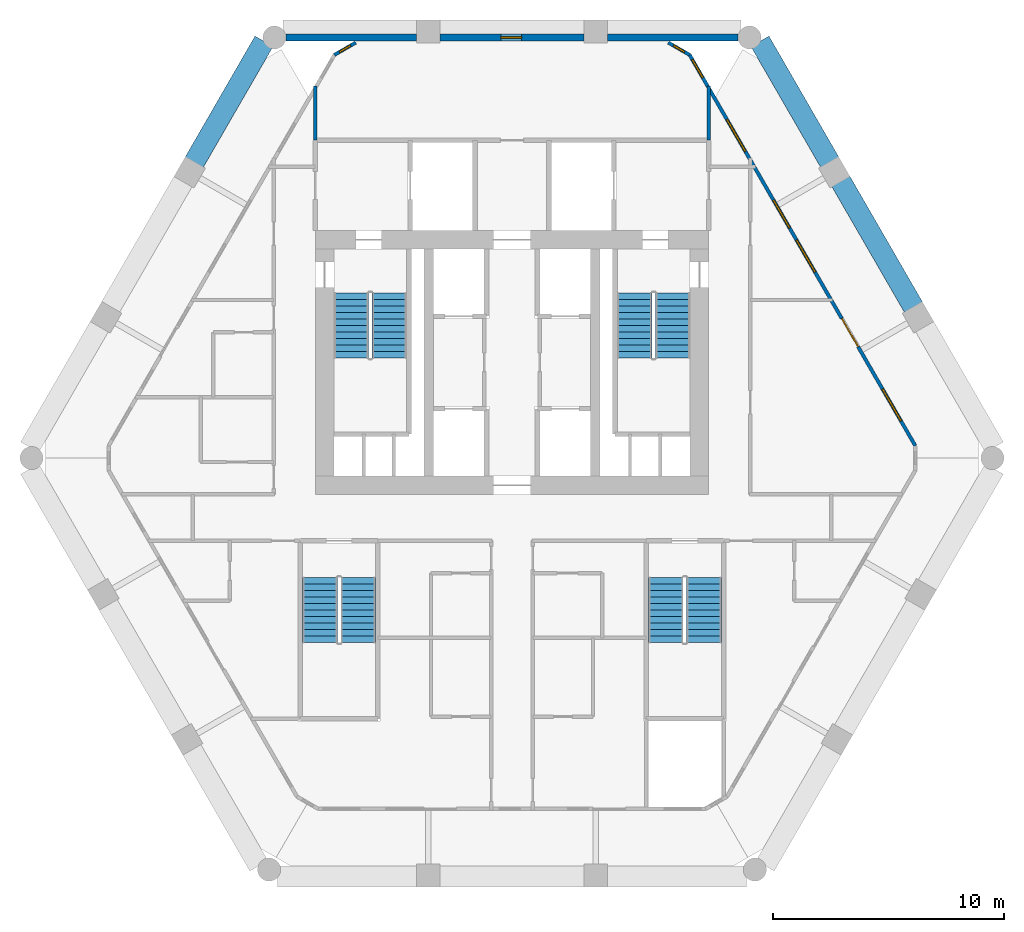
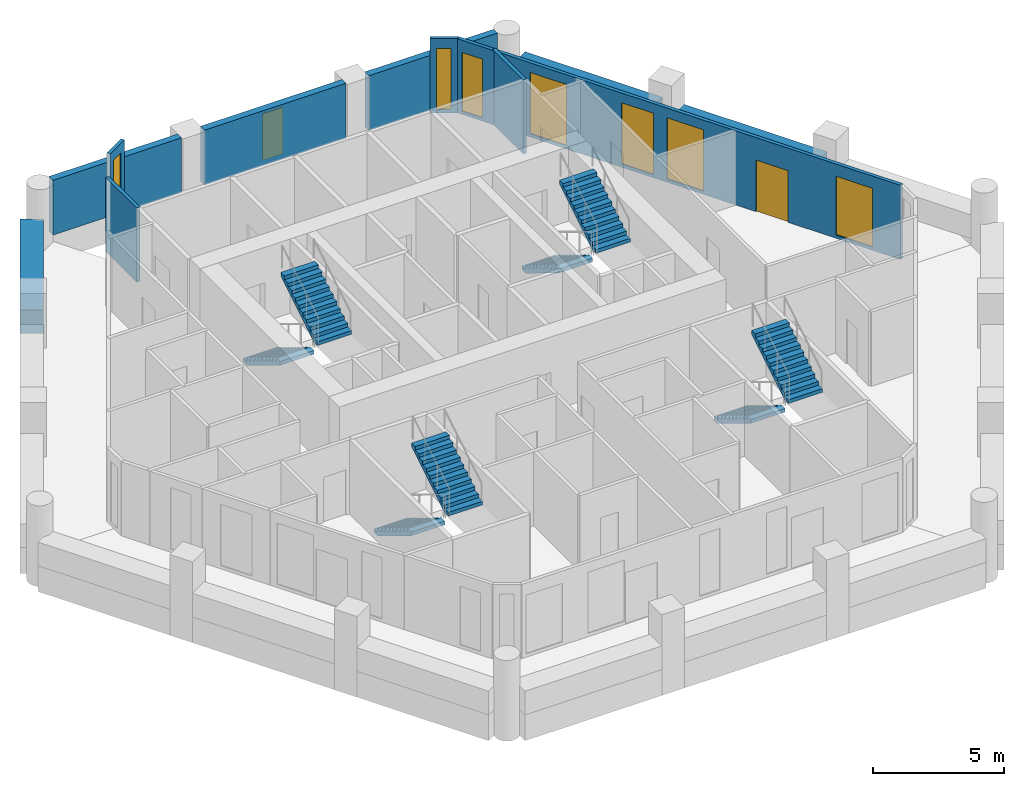
# One storey, part 6 of 7: 11 walls, 8 stair flights, 8 windows, 1 door, 9 openings, 4 elements without a shape of their own.
"""IFC4 building model written with IfcOpenShell, lengths in metres."""

from ifc_helpers import new_model, si_unit, direction, frame, frame_2d, origin, place, context, subcontext, project, spatial, polyline, rectangle, outline, extrude, material, layer, layer_set, type_object, element, fill, aggregate, save


model = new_model("IFC4")

# Units and contexts
model_context = context("Model", 3, precision=1e-05, world=origin(), true_north=direction((0.0, 1.0)))
body_context = subcontext(model_context, "Body", "Model", "MODEL_VIEW")
ifc_project = project(units=[si_unit("LENGTHUNIT", "METRE"), si_unit("AREAUNIT", "SQUARE_METRE"), si_unit("VOLUMEUNIT", "CUBIC_METRE"), si_unit("PLANEANGLEUNIT", "RADIAN"), si_unit("MASSUNIT", "GRAM", prefix="KILO")], contexts=[model_context])

# Site, building, storey
site_placement = place(None, origin())
site = spatial("IfcSite", under=ifc_project, at=site_placement, CompositionType="ELEMENT")
building_placement = place(site_placement, origin())
building = spatial("IfcBuilding", under=site, at=building_placement, Name="Ostrander Bayou Hotel Tower", CompositionType="ELEMENT")
storey_placement = place(building_placement, frame((0.0, 0.0, 157.0)))
storey = spatial("IfcBuildingStorey", under=building, at=storey_placement, Name="L38", CompositionType="ELEMENT", Elevation=157.0)

# Wall, openings, door, windows
ifc_material_1 = material(Name="Aluminium framed insulated wall", Category="aluminium")
ifc_layer_1 = layer(ifc_material_1, 0.14990234375)
ifc_layer_set_1 = layer_set([ifc_layer_1], Name="GW1 glass-line wall 150 mm")
wall_type_1 = type_object("IfcWallType", Name="GW1 glass-line wall 150 mm", PredefinedType="SOLIDWALL", material=ifc_layer_set_1)
wall_1_placement = place(storey_placement, frame((17.42822265625, 0.401611328125, 0.0), z_axis=(0.0, 0.0, 1.0), x_axis=(-0.500000203029, 0.866025286565, 0.0)))
wall_1 = element("IfcWall", 1, at=wall_1_placement, inside=storey, type_object=wall_type_1, Name="GW1 L38 NE 1", PredefinedType="SOLIDWALL", context=body_context, shape_type="SweptSolid", body=[
    extrude(rectangle(XDim=19.50390625, YDim=0.14990234375, at=frame_2d((9.751953125, 0.0))), origin(), (0.0, 0.0, 1.0), 3.449951171875),
])
opening_1_placement = place(wall_1_placement, frame((4.94677734375, 0.0, 0.0)))
opening_1 = element("IfcOpeningElement", 2, at=opening_1_placement, cuts=wall_1, Name="Opening T38-806", PredefinedType="OPENING", context=body_context, shape_type="SweptSolid", body=[
    extrude(rectangle(XDim=1.39990234375, YDim=2.39990234375, at=frame_2d((0.699951171875, 1.199951171875))), frame((0.0, 0.074951171875, 0.0), z_axis=(0.0, -1.0, 0.0), x_axis=(1.0, 0.0, 0.0)), (0.0, 0.0, 1.0), 0.14990234375),
])
opening_2_placement = place(wall_1_placement, frame((8.666259765625, 0.0, 0.14990234375)))
opening_2 = element("IfcOpeningElement", 3, at=opening_2_placement, cuts=wall_1, Name="Opening W3", PredefinedType="OPENING", context=body_context, shape_type="SweptSolid", body=[
    extrude(rectangle(XDim=1.60009765625, YDim=2.85009765625, at=frame_2d((0.800048828125, 1.425048828125))), frame((0.0, 0.074951171875, 0.0), z_axis=(0.0, -1.0, 0.0), x_axis=(1.0, 0.0, 0.0)), (0.0, 0.0, 1.0), 0.14990234375),
])
opening_3_placement = place(wall_1_placement, frame((10.8662109375, 0.0, 0.14990234375)))
opening_3 = element("IfcOpeningElement", 4, at=opening_3_placement, cuts=wall_1, Name="Opening W13", PredefinedType="OPENING", context=body_context, shape_type="SweptSolid", body=[
    extrude(rectangle(XDim=1.39990234375, YDim=2.85009765625, at=frame_2d((0.699951171875, 1.425048828125))), frame((0.0, 0.074951171875, 0.0), z_axis=(0.0, -1.0, 0.0), x_axis=(1.0, 0.0, 0.0)), (0.0, 0.0, 1.0), 0.14990234375),
])
opening_4_placement = place(wall_1_placement, frame((14.684326171875, 0.0, 0.14990234375)))
opening_4 = element("IfcOpeningElement", 5, at=opening_4_placement, cuts=wall_1, Name="Opening W3", PredefinedType="OPENING", context=body_context, shape_type="SweptSolid", body=[
    extrude(rectangle(XDim=1.60009765625, YDim=2.85009765625, at=frame_2d((0.800048828125, 1.425048828125))), frame((0.0, 0.074951171875, 0.0), z_axis=(0.0, -1.0, 0.0), x_axis=(1.0, 0.0, 0.0)), (0.0, 0.0, 1.0), 0.14990234375),
])
opening_5_placement = place(wall_1_placement, frame((1.233154296875, 0.0, 0.14990234375)))
opening_5 = element("IfcOpeningElement", 6, at=opening_5_placement, cuts=wall_1, Name="Opening W3", PredefinedType="OPENING", context=body_context, shape_type="SweptSolid", body=[
    extrude(rectangle(XDim=1.60009765625, YDim=2.72998046875, at=frame_2d((0.800048828125, 1.364990234375))), frame((0.0, 0.074951171875, 0.0), z_axis=(0.0, -1.0, 0.0), x_axis=(1.0, 0.0, 0.0)), (0.0, 0.0, 1.0), 0.14990234375),
])
opening_6_placement = place(wall_1_placement, frame((18.369384765625, 0.0, 0.14990234375)))
opening_6 = element("IfcOpeningElement", 7, at=opening_6_placement, cuts=wall_1, Name="Opening W17", PredefinedType="OPENING", context=body_context, shape_type="SweptSolid", body=[
    extrude(rectangle(XDim=0.89990234375, YDim=2.72998046875, at=frame_2d((0.449951171875, 1.364990234375))), frame((0.0, 0.074951171875, 0.0), z_axis=(0.0, -1.0, 0.0), x_axis=(1.0, 0.0, 0.0)), (0.0, 0.0, 1.0), 0.14990234375),
])
ifc_material_2 = material(Name="Aluminium and clear glass", Category="aluminium")
door_type = type_object("IfcDoorType", Name="SD3 sliding glass door 1400 mm, zone 3", OperationType="SLIDING_TO_LEFT", PredefinedType="DOOR", material=ifc_material_2)
door_placement = place(opening_1_placement, origin())
door = element("IfcDoor", 8, at=door_placement, inside=storey, type_object=door_type, Name="SD3 L38 NE 2", OperationType="SLIDING_TO_RIGHT", OverallHeight=2.39990234375, OverallWidth=1.39990234375, PredefinedType="DOOR", context=body_context, shape_type="SweptSolid", body=[
    extrude(rectangle(XDim=1.39990234375, YDim=2.39990234375, at=frame_2d((0.699951171875, 1.199951171875))), frame((0.0, 0.02490234375, 0.0), z_axis=(0.0, -1.0, 0.0), x_axis=(1.0, 0.0, 0.0)), (0.0, 0.0, 1.0), 0.050048828125),
])
fill(opening_1, door)
ifc_material_3 = material(Name="Aluminium and clear glass", Category="aluminium")
window_type_1 = type_object("IfcWindowType", Name="W13 fixed window 1400 mm, bath bay, zone 3", PartitioningType="SINGLE_PANEL", PredefinedType="WINDOW", material=ifc_material_3)
window_1_placement = place(opening_3_placement, origin())
window_1 = element("IfcWindow", 9, at=window_1_placement, inside=storey, type_object=window_type_1, Name="W13 L38 NE 3", OverallHeight=2.85009765625, OverallWidth=1.39990234375, PartitioningType="SINGLE_PANEL", PredefinedType="WINDOW", context=body_context, shape_type="SweptSolid", body=[
    extrude(rectangle(XDim=1.39990234375, YDim=2.85009765625, at=frame_2d((0.699951171875, 1.425048828125))), frame((0.0, 0.030029296875, 0.0), z_axis=(0.0, -1.0, 0.0), x_axis=(1.0, 0.0, 0.0)), (0.0, 0.0, 1.0), 0.06005859375),
])
fill(opening_3, window_1)
ifc_material_4 = material(Name="Aluminium and clear glass", Category="aluminium")
window_type_2 = type_object("IfcWindowType", Name="W17 window 900 mm, zone 3", PartitioningType="SINGLE_PANEL", PredefinedType="WINDOW", material=ifc_material_4)
window_2_placement = place(opening_6_placement, origin())
window_2 = element("IfcWindow", 10, at=window_2_placement, inside=storey, type_object=window_type_2, Name="W17 L38 NE E22", OverallHeight=2.72998046875, OverallWidth=0.89990234375, PartitioningType="SINGLE_PANEL", PredefinedType="WINDOW", context=body_context, shape_type="SweptSolid", body=[
    extrude(rectangle(XDim=0.89990234375, YDim=2.72998046875, at=frame_2d((0.449951171875, 1.364990234375))), frame((0.0, 0.030029296875, 0.0), z_axis=(0.0, -1.0, 0.0), x_axis=(1.0, 0.0, 0.0)), (0.0, 0.0, 1.0), 0.06005859375),
])
fill(opening_6, window_2)
ifc_material_5 = material(Name="Aluminium and clear glass", Category="aluminium")
window_type_3 = type_object("IfcWindowType", Name="W3 fixed window 1600 mm, zone 3", PartitioningType="SINGLE_PANEL", PredefinedType="WINDOW", material=ifc_material_5)
window_3_placement = place(opening_2_placement, origin())
window_3 = element("IfcWindow", 11, at=window_3_placement, inside=storey, type_object=window_type_3, Name="W3 L38 NE 3", OverallHeight=2.85009765625, OverallWidth=1.60009765625, PartitioningType="SINGLE_PANEL", PredefinedType="WINDOW", context=body_context, shape_type="SweptSolid", body=[
    extrude(rectangle(XDim=1.60009765625, YDim=2.85009765625, at=frame_2d((0.800048828125, 1.425048828125))), frame((0.0, 0.030029296875, 0.0), z_axis=(0.0, -1.0, 0.0), x_axis=(1.0, 0.0, 0.0)), (0.0, 0.0, 1.0), 0.06005859375),
])
fill(opening_2, window_3)
window_4_placement = place(opening_4_placement, origin())
window_4 = element("IfcWindow", 12, at=window_4_placement, inside=storey, type_object=window_type_3, Name="W3 L38 NE 4", OverallHeight=2.85009765625, OverallWidth=1.60009765625, PartitioningType="SINGLE_PANEL", PredefinedType="WINDOW", context=body_context, shape_type="SweptSolid", body=[
    extrude(rectangle(XDim=1.60009765625, YDim=2.85009765625, at=frame_2d((0.800048828125, 1.425048828125))), frame((0.0, 0.030029296875, 0.0), z_axis=(0.0, -1.0, 0.0), x_axis=(1.0, 0.0, 0.0)), (0.0, 0.0, 1.0), 0.06005859375),
])
fill(opening_4, window_4)
window_5_placement = place(opening_5_placement, origin())
window_5 = element("IfcWindow", 13, at=window_5_placement, inside=storey, type_object=window_type_3, Name="W3 L38 NE E11", OverallHeight=2.72998046875, OverallWidth=1.60009765625, PartitioningType="SINGLE_PANEL", PredefinedType="WINDOW", context=body_context, shape_type="SweptSolid", body=[
    extrude(rectangle(XDim=1.60009765625, YDim=2.72998046875, at=frame_2d((0.800048828125, 1.364990234375))), frame((0.0, 0.030029296875, 0.0), z_axis=(0.0, -1.0, 0.0), x_axis=(1.0, 0.0, 0.0)), (0.0, 0.0, 1.0), 0.06005859375),
])
fill(opening_5, window_5)

# Wall, opening, window
wall_2_placement = place(storey_placement, frame((-6.75390625, 17.824951171875, 0.0), z_axis=(0.0, 0.0, 1.0), x_axis=(-0.866048165231, -0.499960573946, 0.0)))
wall_2 = element("IfcWall", 14, at=wall_2_placement, inside=storey, type_object=wall_type_1, Name="GW1 L38 corner 1", PredefinedType="SOLIDWALL", context=body_context, shape_type="SweptSolid", body=[
    extrude(rectangle(XDim=1.06494140625, YDim=0.14990234375, at=frame_2d((0.532470703125, 0.0))), origin(), (0.0, 0.0, 1.0), 3.449951171875),
])
opening_7_placement = place(wall_2_placement, frame((0.257568359375, 0.0, 0.14990234375)))
opening_7 = element("IfcOpeningElement", 15, at=opening_7_placement, cuts=wall_2, Name="Opening W19", PredefinedType="OPENING", context=body_context, shape_type="SweptSolid", body=[
    extrude(rectangle(XDim=0.550048828125, YDim=2.85009765625, at=frame_2d((0.27490234375, 1.425048828125))), frame((0.0, 0.074951171875, 0.0), z_axis=(0.0, -1.0, 0.0), x_axis=(1.0, 0.0, 0.0)), (0.0, 0.0, 1.0), 0.14990234375),
])
ifc_material_6 = material(Name="Aluminium and clear glass", Category="aluminium")
window_type_4 = type_object("IfcWindowType", Name="W19 corner window 550 mm", PartitioningType="SINGLE_PANEL", PredefinedType="WINDOW", material=ifc_material_6)
window_6_placement = place(opening_7_placement, origin())
window_6 = element("IfcWindow", 16, at=window_6_placement, inside=storey, type_object=window_type_4, Name="W19 L38 corner 1", OverallHeight=2.85009765625, OverallWidth=0.550048828125, PartitioningType="SINGLE_PANEL", PredefinedType="WINDOW", context=body_context, shape_type="SweptSolid", body=[
    extrude(rectangle(XDim=0.550048828125, YDim=2.85009765625, at=frame_2d((0.27490234375, 1.425048828125))), frame((0.0, 0.030029296875, 0.0), z_axis=(0.0, -1.0, 0.0), x_axis=(1.0, 0.0, 0.0)), (0.0, 0.0, 1.0), 0.06005859375),
])
fill(opening_7, window_6)

wall_3_placement = place(storey_placement, frame((7.67626953125, 17.29248046875, 0.0), z_axis=(0.0, 0.0, 1.0), x_axis=(-0.866048165231, 0.499960573946, 0.0)))
wall_3 = element("IfcWall", 17, at=wall_3_placement, inside=storey, type_object=wall_type_1, Name="GW1 L38 corner 6", PredefinedType="SOLIDWALL", context=body_context, shape_type="SweptSolid", body=[
    extrude(rectangle(XDim=1.06494140625, YDim=0.14990234375, at=frame_2d((0.532470703125, 0.0))), origin(), (0.0, 0.0, 1.0), 3.449951171875),
])
opening_8_placement = place(wall_3_placement, frame((0.257568359375, 0.0, 0.14990234375)))
opening_8 = element("IfcOpeningElement", 18, at=opening_8_placement, cuts=wall_3, Name="Opening W19", PredefinedType="OPENING", context=body_context, shape_type="SweptSolid", body=[
    extrude(rectangle(XDim=0.550048828125, YDim=2.85009765625, at=frame_2d((0.27490234375, 1.425048828125))), frame((0.0, 0.074951171875, 0.0), z_axis=(0.0, -1.0, 0.0), x_axis=(1.0, 0.0, 0.0)), (0.0, 0.0, 1.0), 0.14990234375),
])
window_7_placement = place(opening_8_placement, origin())
window_7 = element("IfcWindow", 19, at=window_7_placement, inside=storey, type_object=window_type_4, Name="W19 L38 corner 6", OverallHeight=2.85009765625, OverallWidth=0.550048828125, PartitioningType="SINGLE_PANEL", PredefinedType="WINDOW", context=body_context, shape_type="SweptSolid", body=[
    extrude(rectangle(XDim=0.550048828125, YDim=2.85009765625, at=frame_2d((0.27490234375, 1.425048828125))), frame((0.0, 0.030029296875, 0.0), z_axis=(0.0, -1.0, 0.0), x_axis=(1.0, 0.0, 0.0)), (0.0, 0.0, 1.0), 0.06005859375),
])
fill(opening_8, window_7)

# Wall
ifc_material_7 = material(Name="Reconstituted stone on masonry backing", Category="masonry")
ifc_layer_2 = layer(ifc_material_7, 0.300048828125)
ifc_layer_set_2 = layer_set([ifc_layer_2], Name="NW1 north stone wall 300 mm")
wall_type_2 = type_object("IfcWallType", Name="NW1 north stone wall 300 mm", PredefinedType="SOLIDWALL", material=ifc_layer_set_2)
wall_4_placement = place(storey_placement, frame((9.767822265625, 18.050048828125, 0.0), z_axis=(0.0, 0.0, 1.0), x_axis=(-1.0, 0.0, 0.0)))
element("IfcWall", 20, at=wall_4_placement, inside=storey, type_object=wall_type_2, Name="NW1 L38 N-1", PredefinedType="SOLIDWALL", context=body_context, shape_type="SweptSolid", body=[
    extrude(rectangle(XDim=5.649658203125, YDim=0.300048828125, at=frame_2d((2.82470703125, 0.0))), origin(), (0.0, 0.0, 1.0), 2.550048828125),
])

# Wall, opening, window
wall_5_placement = place(storey_placement, frame((3.1181640625, 18.050048828125, 0.0), z_axis=(0.0, 0.0, 1.0), x_axis=(-1.0, 0.0, 0.0)))
wall_5 = element("IfcWall", 21, at=wall_5_placement, inside=storey, type_object=wall_type_2, Name="NW1 L38 N-2", PredefinedType="SOLIDWALL", context=body_context, shape_type="SweptSolid", body=[
    extrude(rectangle(XDim=6.236328125, YDim=0.300048828125, at=frame_2d((3.1181640625, 0.0))), origin(), (0.0, 0.0, 1.0), 2.550048828125),
])
opening_9_placement = place(wall_5_placement, frame((2.699951171875, 0.0, 0.14990234375)))
opening_9 = element("IfcOpeningElement", 22, at=opening_9_placement, cuts=wall_5, Name="Opening W17", PredefinedType="OPENING", context=body_context, shape_type="SweptSolid", body=[
    extrude(rectangle(XDim=0.89990234375, YDim=2.14990234375, at=frame_2d((0.449951171875, 1.074951171875))), frame((0.0, 0.14990234375, 0.0), z_axis=(0.0, -1.0, 0.0), x_axis=(1.0, 0.0, 0.0)), (0.0, 0.0, 1.0), 0.300048828125),
])
window_8_placement = place(opening_9_placement, origin())
window_8 = element("IfcWindow", 23, at=window_8_placement, inside=storey, type_object=window_type_2, Name="W17 L38 north N-2", OverallHeight=2.14990234375, OverallWidth=0.89990234375, PartitioningType="SINGLE_PANEL", PredefinedType="WINDOW", context=body_context, shape_type="SweptSolid", body=[
    extrude(rectangle(XDim=0.89990234375, YDim=2.14990234375, at=frame_2d((0.449951171875, 1.074951171875))), frame((0.0, 0.030029296875, 0.0), z_axis=(0.0, -1.0, 0.0), x_axis=(1.0, 0.0, 0.0)), (0.0, 0.0, 1.0), 0.06005859375),
])
fill(opening_9, window_8)

# Walls
wall_6_placement = place(storey_placement, frame((-4.1181640625, 18.050048828125, 0.0), z_axis=(0.0, 0.0, 1.0), x_axis=(-1.0, 0.0, 0.0)))
element("IfcWall", 24, at=wall_6_placement, inside=storey, type_object=wall_type_2, Name="NW1 L38 N-3", PredefinedType="SOLIDWALL", context=body_context, shape_type="SweptSolid", body=[
    extrude(rectangle(XDim=5.649658203125, YDim=0.300048828125, at=frame_2d((2.82470703125, 0.0))), origin(), (0.0, 0.0, 1.0), 2.550048828125),
])
ifc_material_8 = material(Name="Concrete f'c 40 MPa", Category="concrete")
ifc_layer_3 = layer(ifc_material_8, 0.89990234375)
ifc_layer_set_3 = layer_set([ifc_layer_3], Name="PA1 stone-faced parapet 900 mm")
wall_type_3 = type_object("IfcWallType", Name="PA1 stone-faced parapet 900 mm", PredefinedType="PARAPET", material=ifc_layer_set_3)
wall_7_placement = place(storey_placement, frame((-10.71435546875, 17.88037109375, 0.0), z_axis=(0.0, 0.0, 1.0), x_axis=(-0.499995386674, -0.866028067273, 0.0)))
element("IfcWall", 25, at=wall_7_placement, inside=storey, type_object=wall_type_3, Name="PA1 L38 NW-1", PredefinedType="PARAPET", context=body_context, shape_type="SweptSolid", body=[
    extrude(rectangle(XDim=6.03955078125, YDim=0.89990234375, at=frame_2d((3.019775390625, 0.0))), origin(), (0.0, 0.0, 1.0), 1.10009765625),
])
wall_8_placement = place(storey_placement, frame((17.352294921875, 6.38330078125, 0.0), z_axis=(0.0, 0.0, 1.0), x_axis=(-0.500030142214, 0.86600800047, 0.0)))
element("IfcWall", 26, at=wall_8_placement, inside=storey, type_object=wall_type_3, Name="PA1 L38 NE-2", PredefinedType="PARAPET", context=body_context, shape_type="SweptSolid", body=[
    extrude(rectangle(XDim=6.2958984375, YDim=0.89990234375, at=frame_2d((3.14794921875, 0.0))), origin(), (0.0, 0.0, 1.0), 1.10009765625),
])
wall_9_placement = place(storey_placement, frame((13.734130859375, 12.64990234375, 0.0), z_axis=(0.0, 0.0, 1.0), x_axis=(-0.499995386674, 0.866028067273, 0.0)))
element("IfcWall", 27, at=wall_9_placement, inside=storey, type_object=wall_type_3, Name="PA1 L38 NE-3", PredefinedType="PARAPET", context=body_context, shape_type="SweptSolid", body=[
    extrude(rectangle(XDim=6.03955078125, YDim=0.89990234375, at=frame_2d((3.019775390625, 0.0))), origin(), (0.0, 0.0, 1.0), 1.10009765625),
])
ifc_material_9 = material(Name="Gypsum board partition", Category="finish")
ifc_layer_4 = layer(ifc_material_9, 0.14990234375)
ifc_layer_set_4 = layer_set([ifc_layer_4], Name="PT8 service band wall 150 mm, 1 hour")
wall_type_4 = type_object("IfcWallType", Name="PT8 service band wall 150 mm, 1 hour", PredefinedType="PARTITIONING", material=ifc_layer_set_4)
for number, where, z_axis, x_axis, name in (
    (28, (8.5, 13.610107421875, 0.0), (0.0, 0.0, 1.0), (0.0, 1.0, 0.0), "gw:L38:027"),
    (29, (-8.5, 13.610107421875, 0.0), (0.0, 0.0, 1.0), (0.0, 1.0, 0.0), "gw:L38:034"),
):
    element("IfcWall", number, at=place(storey_placement, frame(where, z_axis=z_axis, x_axis=x_axis)), inside=storey, type_object=wall_type_4, Name=name, PredefinedType="PARTITIONING", context=body_context, shape_type="SweptSolid", body=[
        extrude(rectangle(XDim=2.345947265625, YDim=0.14990234375, at=frame_2d((1.1728515625, 0.0))), origin(), (0.0, 0.0, 1.0), 3.449951171875),
    ])

# Stair, stair flights
ifc_material_10 = material(Name="Concrete f'c 45 MPa", Category="concrete")
stair_type = type_object("IfcStairType", Name="ST1 exit stair 1500 mm f'c 45 MPa", PredefinedType="HALF_TURN_STAIR", material=ifc_material_10)
stair_1_placement = place(storey_placement, origin())
stair_1 = element("IfcStair", 30, at=stair_1_placement, inside=storey, type_object=stair_type, Name="L38 exit stair A", PredefinedType="HALF_TURN_STAIR")
ifc_material_11 = material(Name="Concrete f'c 45 MPa", Category="concrete")
stair_flight_type = type_object("IfcStairFlightType", Name="SF1 stair flight 1500 mm f'c 45 MPa", PredefinedType="STRAIGHT", material=ifc_material_11)
stair_flight_1_placement = place(storey_placement, frame((-6.949951171875, 7.0, 0.0), z_axis=(0.0, 0.0, 1.0), x_axis=(0.0, -1.0, 0.0)))
stair_flight_1 = element("IfcStairFlight", 31, at=stair_flight_1_placement, type_object=stair_flight_type, Name="STA flight 1", NumberOfRisers=11, NumberOfTreads=10, PredefinedType="STRAIGHT", RiserHeight=0.170454545, TreadLength=0.28, context=body_context, shape_type="SweptSolid", body=[
    extrude(outline(polyline([(0.0, 0.0), (0.0, 0.17041015625), (0.280029296875, 0.17041015625), (0.280029296875, 0.3408203125), (0.56005859375, 0.3408203125), (0.56005859375, 0.511474609375), (0.840087890625, 0.511474609375), (0.840087890625, 0.681884765625), (1.1201171875, 0.681884765625), (1.1201171875, 0.852294921875), (1.39990234375, 0.852294921875), (1.39990234375, 1.022705078125), (1.679931640625, 1.022705078125), (1.679931640625, 1.193115234375), (1.9599609375, 1.193115234375), (1.9599609375, 1.363525390625), (2.239990234375, 1.363525390625), (2.239990234375, 1.5341796875), (2.52001953125, 1.5341796875), (2.52001953125, 1.70458984375), (2.800048828125, 1.70458984375), (2.800048828125, 1.875), (2.800048828125, 1.529052734375), (0.288330078125, 0.0), (0.0, 0.0)])), frame((0.0, 0.75, 0.0), z_axis=(0.0, -1.0, 0.0), x_axis=(1.0, 0.0, 0.0)), (0.0, 0.0, 1.0), 1.5),
])
stair_flight_2_placement = place(storey_placement, frame((-5.300048828125, 4.199951171875, 1.875), z_axis=(0.0, 0.0, 1.0), x_axis=(0.0, 1.0, 0.0)))
stair_flight_2 = element("IfcStairFlight", 32, at=stair_flight_2_placement, type_object=stair_flight_type, Name="STA flight 2", NumberOfRisers=11, NumberOfTreads=10, PredefinedType="STRAIGHT", RiserHeight=0.170454545, TreadLength=0.28, context=body_context, shape_type="SweptSolid", body=[
    extrude(outline(polyline([(0.0, 0.0), (0.0, 0.17041015625), (0.280029296875, 0.17041015625), (0.280029296875, 0.3408203125), (0.56005859375, 0.3408203125), (0.56005859375, 0.511474609375), (0.840087890625, 0.511474609375), (0.840087890625, 0.681884765625), (1.1201171875, 0.681884765625), (1.1201171875, 0.852294921875), (1.39990234375, 0.852294921875), (1.39990234375, 1.022705078125), (1.679931640625, 1.022705078125), (1.679931640625, 1.193115234375), (1.9599609375, 1.193115234375), (1.9599609375, 1.363525390625), (2.239990234375, 1.363525390625), (2.239990234375, 1.5341796875), (2.52001953125, 1.5341796875), (2.52001953125, 1.70458984375), (2.800048828125, 1.70458984375), (2.800048828125, 1.875), (2.800048828125, 1.529052734375), (0.288330078125, 0.0), (0.0, 0.0)])), frame((0.0, 0.75, 0.0), z_axis=(0.0, -1.0, 0.0), x_axis=(1.0, 0.0, 0.0)), (0.0, 0.0, 1.0), 1.5),
])
aggregate(stair_1, [stair_flight_1, stair_flight_2])

stair_2_placement = place(storey_placement, origin())
stair_2 = element("IfcStair", 33, at=stair_2_placement, inside=storey, type_object=stair_type, Name="L38 exit stair B", PredefinedType="HALF_TURN_STAIR")
stair_flight_3_placement = place(storey_placement, frame((5.300048828125, 7.0, 0.0), z_axis=(0.0, 0.0, 1.0), x_axis=(0.0, -1.0, 0.0)))
stair_flight_3 = element("IfcStairFlight", 34, at=stair_flight_3_placement, type_object=stair_flight_type, Name="STB flight 1", NumberOfRisers=11, NumberOfTreads=10, PredefinedType="STRAIGHT", RiserHeight=0.170454545, TreadLength=0.28, context=body_context, shape_type="SweptSolid", body=[
    extrude(outline(polyline([(0.0, 0.0), (0.0, 0.17041015625), (0.280029296875, 0.17041015625), (0.280029296875, 0.3408203125), (0.56005859375, 0.3408203125), (0.56005859375, 0.511474609375), (0.840087890625, 0.511474609375), (0.840087890625, 0.681884765625), (1.1201171875, 0.681884765625), (1.1201171875, 0.852294921875), (1.39990234375, 0.852294921875), (1.39990234375, 1.022705078125), (1.679931640625, 1.022705078125), (1.679931640625, 1.193115234375), (1.9599609375, 1.193115234375), (1.9599609375, 1.363525390625), (2.239990234375, 1.363525390625), (2.239990234375, 1.5341796875), (2.52001953125, 1.5341796875), (2.52001953125, 1.70458984375), (2.800048828125, 1.70458984375), (2.800048828125, 1.875), (2.800048828125, 1.529052734375), (0.288330078125, 0.0), (0.0, 0.0)])), frame((0.0, 0.75, 0.0), z_axis=(0.0, -1.0, 0.0), x_axis=(1.0, 0.0, 0.0)), (0.0, 0.0, 1.0), 1.5),
])
stair_flight_4_placement = place(storey_placement, frame((6.949951171875, 4.199951171875, 1.875), z_axis=(0.0, 0.0, 1.0), x_axis=(0.0, 1.0, 0.0)))
stair_flight_4 = element("IfcStairFlight", 35, at=stair_flight_4_placement, type_object=stair_flight_type, Name="STB flight 2", NumberOfRisers=11, NumberOfTreads=10, PredefinedType="STRAIGHT", RiserHeight=0.170454545, TreadLength=0.28, context=body_context, shape_type="SweptSolid", body=[
    extrude(outline(polyline([(0.0, 0.0), (0.0, 0.17041015625), (0.280029296875, 0.17041015625), (0.280029296875, 0.3408203125), (0.56005859375, 0.3408203125), (0.56005859375, 0.511474609375), (0.840087890625, 0.511474609375), (0.840087890625, 0.681884765625), (1.1201171875, 0.681884765625), (1.1201171875, 0.852294921875), (1.39990234375, 0.852294921875), (1.39990234375, 1.022705078125), (1.679931640625, 1.022705078125), (1.679931640625, 1.193115234375), (1.9599609375, 1.193115234375), (1.9599609375, 1.363525390625), (2.239990234375, 1.363525390625), (2.239990234375, 1.5341796875), (2.52001953125, 1.5341796875), (2.52001953125, 1.70458984375), (2.800048828125, 1.70458984375), (2.800048828125, 1.875), (2.800048828125, 1.529052734375), (0.288330078125, 0.0), (0.0, 0.0)])), frame((0.0, 0.75, 0.0), z_axis=(0.0, -1.0, 0.0), x_axis=(1.0, 0.0, 0.0)), (0.0, 0.0, 1.0), 1.5),
])
aggregate(stair_2, [stair_flight_3, stair_flight_4])

stair_3_placement = place(storey_placement, origin())
stair_3 = element("IfcStair", 36, at=stair_3_placement, inside=storey, type_object=stair_type, Name="L38 exit stair C", PredefinedType="HALF_TURN_STAIR")
stair_flight_5_placement = place(storey_placement, frame((6.64990234375, -5.300048828125, 0.0), z_axis=(0.0, 0.0, 1.0), x_axis=(0.0, -1.0, 0.0)))
stair_flight_5 = element("IfcStairFlight", 37, at=stair_flight_5_placement, type_object=stair_flight_type, Name="STC flight 1", NumberOfRisers=11, NumberOfTreads=10, PredefinedType="STRAIGHT", RiserHeight=0.170454545, TreadLength=0.28, context=body_context, shape_type="SweptSolid", body=[
    extrude(outline(polyline([(0.0, 0.0), (0.0, 0.17041015625), (0.280029296875, 0.17041015625), (0.280029296875, 0.3408203125), (0.56005859375, 0.3408203125), (0.56005859375, 0.511474609375), (0.840087890625, 0.511474609375), (0.840087890625, 0.681884765625), (1.1201171875, 0.681884765625), (1.1201171875, 0.852294921875), (1.39990234375, 0.852294921875), (1.39990234375, 1.022705078125), (1.679931640625, 1.022705078125), (1.679931640625, 1.193115234375), (1.9599609375, 1.193115234375), (1.9599609375, 1.363525390625), (2.239990234375, 1.363525390625), (2.239990234375, 1.5341796875), (2.52001953125, 1.5341796875), (2.52001953125, 1.70458984375), (2.800048828125, 1.70458984375), (2.800048828125, 1.875), (2.800048828125, 1.529052734375), (0.288330078125, 0.0), (0.0, 0.0)])), frame((0.0, 0.75, 0.0), z_axis=(0.0, -1.0, 0.0), x_axis=(1.0, 0.0, 0.0)), (0.0, 0.0, 1.0), 1.5),
])
stair_flight_6_placement = place(storey_placement, frame((8.300048828125, -8.10009765625, 1.875), z_axis=(0.0, 0.0, 1.0), x_axis=(0.0, 1.0, 0.0)))
stair_flight_6 = element("IfcStairFlight", 38, at=stair_flight_6_placement, type_object=stair_flight_type, Name="STC flight 2", NumberOfRisers=11, NumberOfTreads=10, PredefinedType="STRAIGHT", RiserHeight=0.170454545, TreadLength=0.28, context=body_context, shape_type="SweptSolid", body=[
    extrude(outline(polyline([(0.0, 0.0), (0.0, 0.17041015625), (0.280029296875, 0.17041015625), (0.280029296875, 0.3408203125), (0.56005859375, 0.3408203125), (0.56005859375, 0.511474609375), (0.840087890625, 0.511474609375), (0.840087890625, 0.681884765625), (1.1201171875, 0.681884765625), (1.1201171875, 0.852294921875), (1.39990234375, 0.852294921875), (1.39990234375, 1.022705078125), (1.679931640625, 1.022705078125), (1.679931640625, 1.193115234375), (1.9599609375, 1.193115234375), (1.9599609375, 1.363525390625), (2.239990234375, 1.363525390625), (2.239990234375, 1.5341796875), (2.52001953125, 1.5341796875), (2.52001953125, 1.70458984375), (2.800048828125, 1.70458984375), (2.800048828125, 1.875), (2.800048828125, 1.529052734375), (0.288330078125, 0.0), (0.0, 0.0)])), frame((0.0, 0.75, 0.0), z_axis=(0.0, -1.0, 0.0), x_axis=(1.0, 0.0, 0.0)), (0.0, 0.0, 1.0), 1.5),
])
aggregate(stair_3, [stair_flight_5, stair_flight_6])

stair_4_placement = place(storey_placement, origin())
stair_4 = element("IfcStair", 39, at=stair_4_placement, inside=storey, type_object=stair_type, Name="L38 exit stair D", PredefinedType="HALF_TURN_STAIR")
stair_flight_7_placement = place(storey_placement, frame((-8.300048828125, -5.300048828125, 0.0), z_axis=(0.0, 0.0, 1.0), x_axis=(0.0, -1.0, 0.0)))
stair_flight_7 = element("IfcStairFlight", 40, at=stair_flight_7_placement, type_object=stair_flight_type, Name="STD flight 1", NumberOfRisers=11, NumberOfTreads=10, PredefinedType="STRAIGHT", RiserHeight=0.170454545, TreadLength=0.28, context=body_context, shape_type="SweptSolid", body=[
    extrude(outline(polyline([(0.0, 0.0), (0.0, 0.17041015625), (0.280029296875, 0.17041015625), (0.280029296875, 0.3408203125), (0.56005859375, 0.3408203125), (0.56005859375, 0.511474609375), (0.840087890625, 0.511474609375), (0.840087890625, 0.681884765625), (1.1201171875, 0.681884765625), (1.1201171875, 0.852294921875), (1.39990234375, 0.852294921875), (1.39990234375, 1.022705078125), (1.679931640625, 1.022705078125), (1.679931640625, 1.193115234375), (1.9599609375, 1.193115234375), (1.9599609375, 1.363525390625), (2.239990234375, 1.363525390625), (2.239990234375, 1.5341796875), (2.52001953125, 1.5341796875), (2.52001953125, 1.70458984375), (2.800048828125, 1.70458984375), (2.800048828125, 1.875), (2.800048828125, 1.529052734375), (0.288330078125, 0.0), (0.0, 0.0)])), frame((0.0, 0.75, 0.0), z_axis=(0.0, -1.0, 0.0), x_axis=(1.0, 0.0, 0.0)), (0.0, 0.0, 1.0), 1.5),
])
stair_flight_8_placement = place(storey_placement, frame((-6.64990234375, -8.10009765625, 1.875), z_axis=(0.0, 0.0, 1.0), x_axis=(0.0, 1.0, 0.0)))
stair_flight_8 = element("IfcStairFlight", 41, at=stair_flight_8_placement, type_object=stair_flight_type, Name="STD flight 2", NumberOfRisers=11, NumberOfTreads=10, PredefinedType="STRAIGHT", RiserHeight=0.170454545, TreadLength=0.28, context=body_context, shape_type="SweptSolid", body=[
    extrude(outline(polyline([(0.0, 0.0), (0.0, 0.17041015625), (0.280029296875, 0.17041015625), (0.280029296875, 0.3408203125), (0.56005859375, 0.3408203125), (0.56005859375, 0.511474609375), (0.840087890625, 0.511474609375), (0.840087890625, 0.681884765625), (1.1201171875, 0.681884765625), (1.1201171875, 0.852294921875), (1.39990234375, 0.852294921875), (1.39990234375, 1.022705078125), (1.679931640625, 1.022705078125), (1.679931640625, 1.193115234375), (1.9599609375, 1.193115234375), (1.9599609375, 1.363525390625), (2.239990234375, 1.363525390625), (2.239990234375, 1.5341796875), (2.52001953125, 1.5341796875), (2.52001953125, 1.70458984375), (2.800048828125, 1.70458984375), (2.800048828125, 1.875), (2.800048828125, 1.529052734375), (0.288330078125, 0.0), (0.0, 0.0)])), frame((0.0, 0.75, 0.0), z_axis=(0.0, -1.0, 0.0), x_axis=(1.0, 0.0, 0.0)), (0.0, 0.0, 1.0), 1.5),
])
aggregate(stair_4, [stair_flight_7, stair_flight_8])

save(model, "model.ifc")
